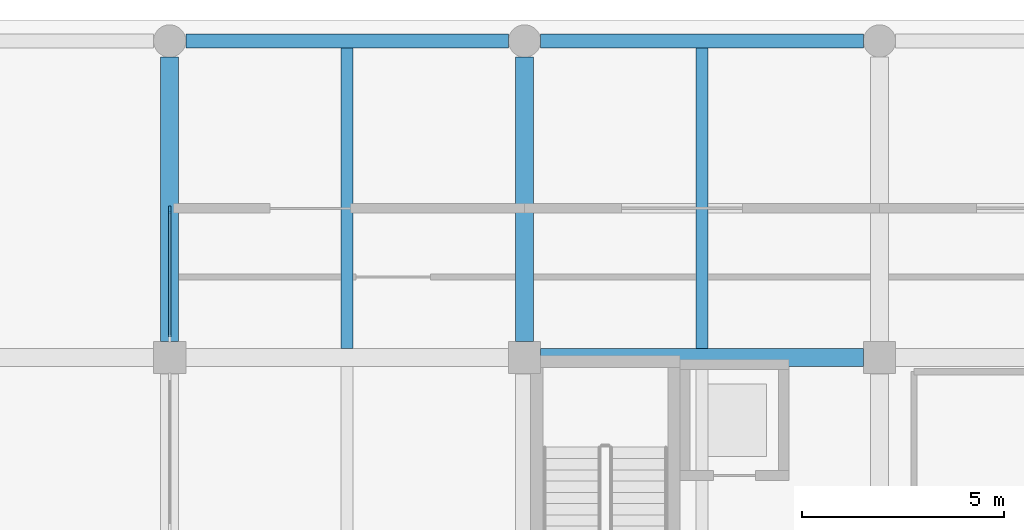
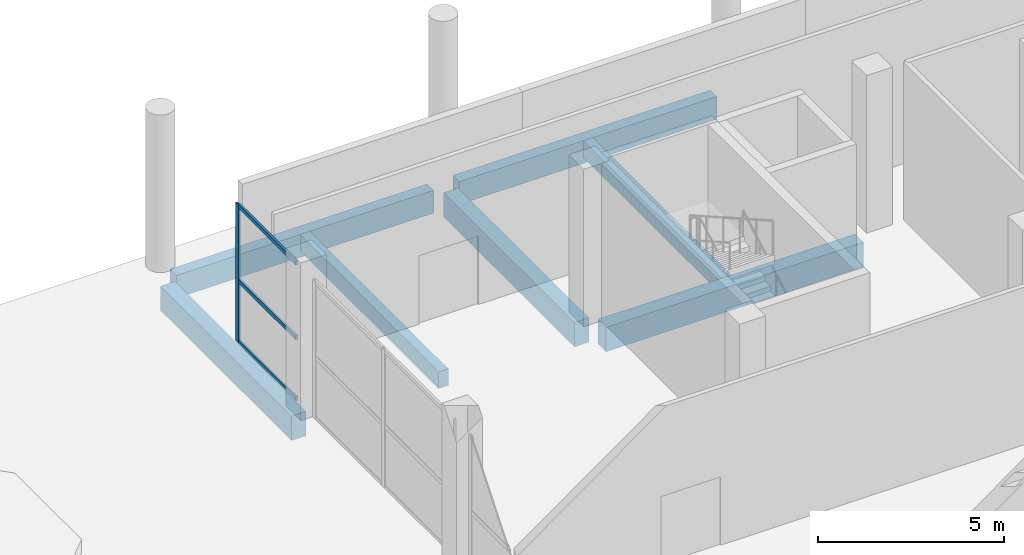
# One storey, part 11 of 34: 7 beams, 4 members, 1 element without a shape of its own.
"""IFC4 building model written with IfcOpenShell, lengths in metres."""

from ifc_helpers import new_model, si_unit, direction, frame, origin, origin_2d, place, context, subcontext, project, spatial, rectangle, extrude, material, material_profile, profile_set, type_object, element, aggregate, save


model = new_model("IFC4")

# Units and contexts
model_context = context("Model", 3, precision=1e-05, world=origin(), true_north=direction((0.0, 1.0)))
body_context = subcontext(model_context, "Body", "Model", "MODEL_VIEW")
ifc_project = project(units=[si_unit("LENGTHUNIT", "METRE"), si_unit("AREAUNIT", "SQUARE_METRE"), si_unit("VOLUMEUNIT", "CUBIC_METRE"), si_unit("PLANEANGLEUNIT", "RADIAN"), si_unit("MASSUNIT", "GRAM", prefix="KILO")], contexts=[model_context])

# Site, building, storey
site_placement = place(None, origin())
site = spatial("IfcSite", under=ifc_project, at=site_placement, CompositionType="ELEMENT")
building_placement = place(site_placement, origin())
building = spatial("IfcBuilding", under=site, at=building_placement, Name="Brinegate Botanical Conservatory", CompositionType="ELEMENT")
storey_placement = place(building_placement, origin())
storey = spatial("IfcBuildingStorey", under=building, at=storey_placement, Name="L01", CompositionType="ELEMENT", Elevation=0.0)

# Beams
ifc_material_1 = material(Name="Concrete C40/50", Category="concrete")
ifc_material_profile_1 = material_profile(ifc_material_1, rectangle(XDim=0.449951171875, YDim=0.800048828125, at=origin_2d()), Name="RC BM 450x800")
ifc_profile_set_1 = profile_set([ifc_material_profile_1], Name="Concrete C40/50")
beam_type_1 = type_object("IfcBeamType", Name="Beam_BM-G1", PredefinedType="BEAM", material=ifc_profile_set_1)
beam_placement = place(storey_placement, frame((60.0, 103.60009765625, -0.804931640625), z_axis=(1.0, 0.0, 0.0), x_axis=(0.0, 1.0, 0.0)))
element("IfcBeam", 1, at=beam_placement, inside=storey, type_object=beam_type_1, Name="Beam BM-G1 L01 N:8-9", PredefinedType="BEAM", context=body_context, shape_type="SweptSolid", body=[
    extrude(rectangle(XDim=0.449951171875, YDim=0.800048828125, at=origin_2d()), origin(), (0.0, 0.0, 1.0), 8.0),
])
for number, where, z_axis, x_axis, name in (
    (2, (50.800048828125, 104.0, -0.804931640625), (0.0, 1.0, 0.0), (-1.0, 0.0, 0.0), "Beam BM-G1 L01 7:N-P"),
    (3, (59.60009765625, 104.0, -0.804931640625), (0.0, 1.0, 0.0), (-1.0, 0.0, 0.0), "Beam BM-G1 L01 8:N-P"),
):
    element("IfcBeam", number, at=place(storey_placement, frame(where, z_axis=z_axis, x_axis=x_axis)), inside=storey, type_object=beam_type_1, Name=name, PredefinedType="BEAM", context=body_context, shape_type="SweptSolid", body=[
        extrude(rectangle(XDim=0.449951171875, YDim=0.800048828125, at=origin_2d()), origin(), (0.0, 0.0, 1.0), 7.050048828125),
    ])
ifc_material_profile_2 = material_profile(ifc_material_1, rectangle(XDim=0.300048828125, YDim=0.550048828125, at=origin_2d()), Name="RC JST 300x550")
ifc_profile_set_2 = profile_set([ifc_material_profile_2], Name="Concrete C40/50")
beam_type_2 = type_object("IfcBeamType", Name="Beam_JS-C1", PredefinedType="JOIST", material=ifc_profile_set_2)
for number, where, z_axis, x_axis, name in (
    (4, (55.199951171875, 103.824951171875, -0.679931640625), (0.0, 1.0, 0.0), (-1.0, 0.0, 0.0), "Floor joist JS-C1 L01 bay 7.13"),
    (5, (64.0, 103.824951171875, -0.679931640625), (0.0, 1.0, 0.0), (-1.0, 0.0, 0.0), "Floor joist JS-C1 L01 bay 8.13"),
):
    element("IfcBeam", number, at=place(storey_placement, frame(where, z_axis=z_axis, x_axis=x_axis)), inside=storey, type_object=beam_type_2, Name=name, PredefinedType="JOIST", context=body_context, shape_type="SweptSolid", body=[
        extrude(rectangle(XDim=0.300048828125, YDim=0.550048828125, at=origin_2d()), origin(), (0.0, 0.0, 1.0), 7.449951171875),
    ])
ifc_material_profile_3 = material_profile(ifc_material_1, rectangle(XDim=0.35009765625, YDim=0.75, at=origin_2d()), Name="RC SPN 350x750")
ifc_profile_set_3 = profile_set([ifc_material_profile_3], Name="Concrete C40/50")
beam_type_3 = type_object("IfcBeamType", Name="Beam_SP-01", PredefinedType="SPANDREL", material=ifc_profile_set_3)
for number, where, z_axis, x_axis, name in (
    (6, (51.199951171875, 111.449951171875, -0.780029296875), (1.0, 0.0, 0.0), (0.0, 1.0, 0.0), "Beam SP-01 L01 P:7-8"),
    (7, (60.0, 111.449951171875, -0.780029296875), (1.0, 0.0, 0.0), (0.0, 1.0, 0.0), "Beam SP-01 L01 P:8-9"),
):
    element("IfcBeam", number, at=place(storey_placement, frame(where, z_axis=z_axis, x_axis=x_axis)), inside=storey, type_object=beam_type_3, Name=name, PredefinedType="SPANDREL", context=body_context, shape_type="SweptSolid", body=[
        extrude(rectangle(XDim=0.35009765625, YDim=0.75, at=origin_2d()), origin(), (0.0, 0.0, 1.0), 8.0),
    ])

# Curtain wall, members
ifc_material_2 = material(Name="Thermally broken anodised aluminium AW-6063-T6", Category="aluminium")
curtain_wall_type = type_object("IfcCurtainWallType", Name="CW_CW-V3", PredefinedType="USERDEFINED", material=ifc_material_2)
curtain_wall_placement = place(storey_placement, origin())
curtain_wall = element("IfcCurtainWall", 8, at=curtain_wall_placement, inside=storey, type_object=curtain_wall_type, Name="Visitor west forecourt curtain wall L01.3", ObjectType="FACTORY CURTAIN WALL", PredefinedType="USERDEFINED")
ifc_material_profile_4 = material_profile(ifc_material_2, rectangle(XDim=0.06494140625, YDim=0.179931640625, at=origin_2d()), Name="ALUM MULLION 65x180")
ifc_profile_set_4 = profile_set([ifc_material_profile_4], Name="Thermally broken anodised aluminium AW-6063-T6")
member_type_1 = type_object("IfcMemberType", Name="Member_ML-02", PredefinedType="MULLION", material=ifc_profile_set_4)
member_1_placement = place(storey_placement, frame((50.800048828125, 107.267578125, 0.0), z_axis=(0.0, 0.0, 1.0), x_axis=(-1.0, 0.0, 0.0)))
member_1 = element("IfcMember", 9, at=member_1_placement, type_object=member_type_1, Name="CW-V3 mullion 2", PredefinedType="MULLION", context=body_context, shape_type="SweptSolid", body=[
    extrude(rectangle(XDim=0.06494140625, YDim=0.179931640625, at=origin_2d()), origin(), (0.0, 0.0, 1.0), 4.530029296875),
])
ifc_material_profile_5 = material_profile(ifc_material_2, rectangle(XDim=0.06494140625, YDim=0.135009765625, at=origin_2d()), Name="ALUM TRANSOM 65x135")
ifc_profile_set_5 = profile_set([ifc_material_profile_5], Name="Thermally broken anodised aluminium AW-6063-T6")
member_type_2 = type_object("IfcMemberType", Name="Member_TR-02", PredefinedType="USERDEFINED", material=ifc_profile_set_5)
member_2_placement = place(storey_placement, frame((50.800048828125, 104.10498046875, 0.032470703125), z_axis=(0.0, 1.0, 0.0), x_axis=(-1.0, 0.0, 0.0)))
member_2 = element("IfcMember", 10, at=member_2_placement, type_object=member_type_2, Name="CW-V3 transom 1.1", ObjectType="TRANSOM", PredefinedType="USERDEFINED", context=body_context, shape_type="SweptSolid", body=[
    extrude(rectangle(XDim=0.06494140625, YDim=0.135009765625, at=origin_2d()), origin(), (0.0, 0.0, 1.0), 3.130126953125),
])
member_3_placement = place(storey_placement, frame((50.800048828125, 104.10498046875, 2.0380859375), z_axis=(0.0, 1.0, 0.0), x_axis=(-1.0, 0.0, 0.0)))
member_3 = element("IfcMember", 11, at=member_3_placement, type_object=member_type_2, Name="CW-V3 transom 1.2", ObjectType="TRANSOM", PredefinedType="USERDEFINED", context=body_context, shape_type="SweptSolid", body=[
    extrude(rectangle(XDim=0.06494140625, YDim=0.135009765625, at=origin_2d()), origin(), (0.0, 0.0, 1.0), 3.130126953125),
])
member_4_placement = place(storey_placement, frame((50.800048828125, 104.10498046875, 4.49755859375), z_axis=(0.0, 1.0, 0.0), x_axis=(-1.0, 0.0, 0.0)))
member_4 = element("IfcMember", 12, at=member_4_placement, type_object=member_type_2, Name="CW-V3 transom 1.3", ObjectType="TRANSOM", PredefinedType="USERDEFINED", context=body_context, shape_type="SweptSolid", body=[
    extrude(rectangle(XDim=0.06494140625, YDim=0.135009765625, at=origin_2d()), origin(), (0.0, 0.0, 1.0), 3.130126953125),
])
aggregate(curtain_wall, [member_1, member_2, member_3, member_4])

save(model, "model.ifc")
